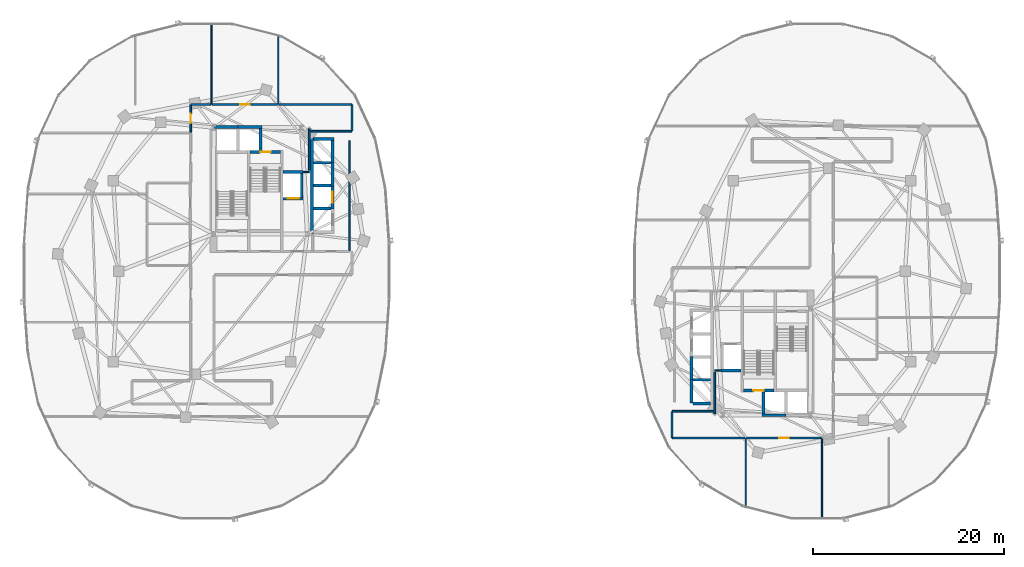
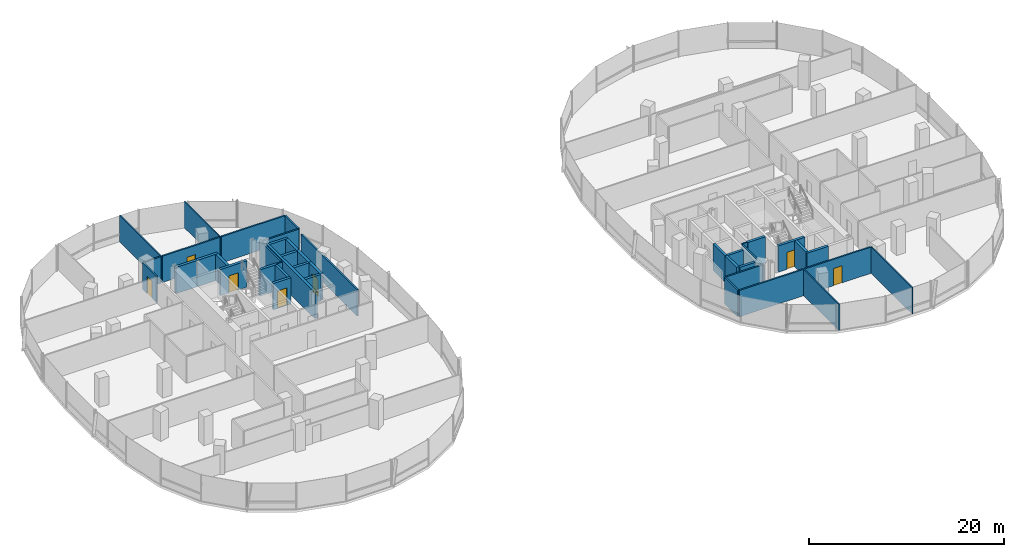
# One storey, part 12 of 21: 42 walls, 7 doors, 7 openings.
"""IFC4 building model written with IfcOpenShell, lengths in metres."""

from ifc_helpers import new_model, si_unit, direction, frame, frame_2d, origin, place, context, subcontext, project, spatial, rectangle, extrude, material, layer, layer_set, type_object, element, fill, save


model = new_model("IFC4")

# Units and contexts
model_context = context("Model", 3, precision=1e-05, world=origin(), true_north=direction((0.0, 1.0)))
body_context = subcontext(model_context, "Body", "Model", "MODEL_VIEW")
ifc_project = project(units=[si_unit("LENGTHUNIT", "METRE"), si_unit("AREAUNIT", "SQUARE_METRE"), si_unit("VOLUMEUNIT", "CUBIC_METRE"), si_unit("PLANEANGLEUNIT", "RADIAN"), si_unit("MASSUNIT", "GRAM", prefix="KILO"), si_unit("THERMODYNAMICTEMPERATUREUNIT", "KELVIN"), si_unit("POWERUNIT", "WATT")], contexts=[model_context])

# Site, building, storey
site_placement = place(None, origin())
site = spatial("IfcSite", under=ifc_project, at=site_placement, CompositionType="ELEMENT")
building_placement = place(site_placement, origin())
building = spatial("IfcBuilding", under=site, at=building_placement, Name="Cundina Bronze Exchange", CompositionType="ELEMENT")
storey_placement = place(building_placement, frame((0.0, 0.0, 121.39990234375)))
storey = spatial("IfcBuildingStorey", under=building, at=storey_placement, Name="L31", CompositionType="ELEMENT", Elevation=121.39990234375)

# Walls
ifc_material_1 = material(Name="Gypsum Fireboard Partition EI120")
ifc_layer_1 = layer(ifc_material_1, 0.179931640625, Name="Gypsum Fireboard Partition EI120")
ifc_layer_set_1 = layer_set([ifc_layer_1], Name="Gypsum Fireboard Partition EI120")
wall_type_1 = type_object("IfcWallType", Name="WL-COR-180", PredefinedType="PARTITIONING", material=ifc_layer_set_1)
wall_1_placement = place(storey_placement, frame((-17.02001953125, 2.169921875, 0.0), z_axis=(0.0, 0.0, 1.0), x_axis=(0.0, 1.0, 0.0)))
element("IfcWall", 1, at=wall_1_placement, inside=storey, type_object=wall_type_1, Name="L31 Interior Partition 001", PredefinedType="PARTITIONING", context=body_context, shape_type="SweptSolid", body=[
    extrude(rectangle(XDim=11.510009765625, YDim=0.179931640625, at=frame_2d((5.7548828125, 0.0))), origin(), (0.0, 0.0, 1.0), 3.300048828125),
])
wall_2_placement = place(storey_placement, frame((-21.25, 10.570068359375, 0.0), z_axis=(0.0, 0.0, 1.0), x_axis=(0.0, 1.0, 0.0)))
element("IfcWall", 2, at=wall_2_placement, inside=storey, type_object=wall_type_1, Name="L31 Interior Partition 004", PredefinedType="PARTITIONING", context=body_context, shape_type="SweptSolid", body=[
    extrude(rectangle(XDim=4.35986328125, YDim=0.179931640625, at=frame_2d((2.179931640625, 0.0))), origin(), (0.0, 0.0, 1.0), 3.300048828125),
])
wall_3_placement = place(storey_placement, frame((-16.821533203125, 17.469970703125, 0.0), z_axis=(0.0, 0.0, 1.0), x_axis=(-1.0, 0.0, 0.0)))
element("IfcWall", 3, at=wall_3_placement, inside=storey, type_object=wall_type_1, Name="L31 Interior Partition 030", PredefinedType="PARTITIONING", context=body_context, shape_type="SweptSolid", body=[
    extrude(rectangle(XDim=7.58837890625, YDim=0.179931640625, at=frame_2d((3.794189453125, 0.0))), origin(), (0.0, 0.0, 1.0), 3.300048828125),
])
wall_4_placement = place(storey_placement, frame((-21.178466796875, 14.679931640625, 0.0), z_axis=(0.0, 0.0, 1.0), x_axis=(1.0, 0.0, 0.0)))
element("IfcWall", 4, at=wall_4_placement, inside=storey, type_object=wall_type_1, Name="L31 Interior Partition 032", PredefinedType="PARTITIONING", context=body_context, shape_type="SweptSolid", body=[
    extrude(rectangle(XDim=4.35693359375, YDim=0.179931640625, at=frame_2d((2.178466796875, 0.0))), origin(), (0.0, 0.0, 1.0), 3.300048828125),
])
wall_5_placement = place(storey_placement, frame((-16.780029296875, 14.721435546875, 0.0), z_axis=(0.0, 0.0, 1.0), x_axis=(0.0, 1.0, 0.0)))
element("IfcWall", 5, at=wall_5_placement, inside=storey, type_object=wall_type_1, Name="L31 Interior Partition 033", PredefinedType="PARTITIONING", context=body_context, shape_type="SweptSolid", body=[
    extrude(rectangle(XDim=2.70703125, YDim=0.179931640625, at=frame_2d((1.353515625, 0.0))), origin(), (0.0, 0.0, 1.0), 3.300048828125),
])

# Wall, opening, door
wall_6_placement = place(storey_placement, frame((-33.669921875, 17.428466796875, 0.0), z_axis=(0.0, 0.0, 1.0), x_axis=(0.0, -1.0, 0.0)))
wall_6 = element("IfcWall", 6, at=wall_6_placement, inside=storey, type_object=wall_type_1, Name="L31 Interior Partition 036", PredefinedType="PARTITIONING", context=body_context, shape_type="SweptSolid", body=[
    extrude(rectangle(XDim=2.83837890625, YDim=0.179931640625, at=frame_2d((1.419189453125, 0.0))), origin(), (0.0, 0.0, 1.0), 3.300048828125),
])
opening_1_placement = place(wall_6_placement, frame((0.919189453125, 0.0, 0.0)))
opening_1 = element("IfcOpeningElement", 7, at=opening_1_placement, cuts=wall_6, Name="Opening DO-01", PredefinedType="OPENING", context=body_context, shape_type="SweptSolid", body=[
    extrude(rectangle(XDim=1.0, YDim=2.14990234375, at=frame_2d((0.5, 1.074951171875))), frame((0.0, 0.099853515625, 0.0), z_axis=(0.0, -1.0, 0.0), x_axis=(1.0, 0.0, 0.0)), (0.0, 0.0, 1.0), 0.199951171875),
])
ifc_material_2 = material(Name="Solid Andean Oak Timber Grade A", Category="wood")
door_type_1 = type_object("IfcDoorType", Name="DR-OFF-1000", OperationType="NOTDEFINED", PredefinedType="DOOR", material=ifc_material_2)
door_1_placement = place(opening_1_placement, origin())
door_1 = element("IfcDoor", 8, at=door_1_placement, inside=storey, type_object=door_type_1, Name="L31 Interior Door 036", OperationType="SINGLE_SWING_RIGHT", OverallHeight=2.14990234375, OverallWidth=1.0, PredefinedType="DOOR", context=body_context, shape_type="SweptSolid", body=[
    extrude(rectangle(XDim=1.0, YDim=2.14990234375, at=frame_2d((0.5, 1.074951171875))), frame((0.0, 0.02490234375, 0.0), z_axis=(0.0, -1.0, 0.0), x_axis=(1.0, 0.0, 0.0)), (0.0, 0.0, 1.0), 0.050048828125),
])
fill(opening_1, door_1)

# Wall
wall_7_placement = place(storey_placement, frame((-31.590087890625, 17.469970703125, 0.0), z_axis=(0.0, 0.0, 1.0), x_axis=(-1.0, 0.0, 0.0)))
element("IfcWall", 9, at=wall_7_placement, inside=storey, type_object=wall_type_1, Name="L31 Interior Partition 037", PredefinedType="PARTITIONING", context=body_context, shape_type="SweptSolid", body=[
    extrude(rectangle(XDim=2.038330078125, YDim=0.179931640625, at=frame_2d((1.01904296875, 0.0))), origin(), (0.0, 0.0, 1.0), 3.300048828125),
])

# Wall, opening, door
wall_8_placement = place(storey_placement, frame((-24.590087890625, 17.469970703125, 0.0), z_axis=(0.0, 0.0, 1.0), x_axis=(-1.0, 0.0, 0.0)))
wall_8 = element("IfcWall", 10, at=wall_8_placement, inside=storey, type_object=wall_type_1, Name="L31 Interior Partition 038", PredefinedType="PARTITIONING", context=body_context, shape_type="SweptSolid", body=[
    extrude(rectangle(XDim=6.81982421875, YDim=0.179931640625, at=frame_2d((3.409912109375, 0.0))), origin(), (0.0, 0.0, 1.0), 3.300048828125),
])
opening_2_placement = place(wall_8_placement, frame((2.909912109375, 0.0, 0.0)))
opening_2 = element("IfcOpeningElement", 11, at=opening_2_placement, cuts=wall_8, Name="Opening DO-01", PredefinedType="OPENING", context=body_context, shape_type="SweptSolid", body=[
    extrude(rectangle(XDim=1.0, YDim=2.14990234375, at=frame_2d((0.5, 1.074951171875))), frame((0.0, 0.099853515625, 0.0), z_axis=(0.0, -1.0, 0.0), x_axis=(1.0, 0.0, 0.0)), (0.0, 0.0, 1.0), 0.199951171875),
])
door_2_placement = place(opening_2_placement, origin())
door_2 = element("IfcDoor", 12, at=door_2_placement, inside=storey, type_object=door_type_1, Name="L31 Interior Door 038", OperationType="SINGLE_SWING_RIGHT", OverallHeight=2.14990234375, OverallWidth=1.0, PredefinedType="DOOR", context=body_context, shape_type="SweptSolid", body=[
    extrude(rectangle(XDim=1.0, YDim=2.14990234375, at=frame_2d((0.5, 1.074951171875))), frame((0.0, 0.02490234375, 0.0), z_axis=(0.0, -1.0, 0.0), x_axis=(1.0, 0.0, 0.0)), (0.0, 0.0, 1.0), 0.050048828125),
])
fill(opening_2, door_2)

# Wall
wall_9_placement = place(storey_placement, frame((21.25, -14.929931640625, 0.0), z_axis=(0.0, 0.0, 1.0), x_axis=(0.0, 1.0, 0.0)))
element("IfcWall", 13, at=wall_9_placement, inside=storey, type_object=wall_type_1, Name="L31 Interior Partition 043", PredefinedType="PARTITIONING", context=body_context, shape_type="SweptSolid", body=[
    extrude(rectangle(XDim=4.35986328125, YDim=0.179931640625, at=frame_2d((2.179931640625, 0.0))), origin(), (0.0, 0.0, 1.0), 3.300048828125),
])

# Wall, opening, door
wall_10_placement = place(storey_placement, frame((24.590087890625, -17.469970703125, 0.0), z_axis=(0.0, 0.0, 1.0), x_axis=(1.0, 0.0, 0.0)))
wall_10 = element("IfcWall", 14, at=wall_10_placement, inside=storey, type_object=wall_type_1, Name="L31 Interior Partition 060", PredefinedType="PARTITIONING", context=body_context, shape_type="SweptSolid", body=[
    extrude(rectangle(XDim=7.81982421875, YDim=0.179931640625, at=frame_2d((3.909912109375, 0.0))), origin(), (0.0, 0.0, 1.0), 3.300048828125),
])
opening_3_placement = place(wall_10_placement, frame((3.409912109375, 0.0, 0.0)))
opening_3 = element("IfcOpeningElement", 15, at=opening_3_placement, cuts=wall_10, Name="Opening DO-01", PredefinedType="OPENING", context=body_context, shape_type="SweptSolid", body=[
    extrude(rectangle(XDim=1.0, YDim=2.14990234375, at=frame_2d((0.5, 1.074951171875))), frame((0.0, 0.099853515625, 0.0), z_axis=(0.0, -1.0, 0.0), x_axis=(1.0, 0.0, 0.0)), (0.0, 0.0, 1.0), 0.199951171875),
])
door_3_placement = place(opening_3_placement, origin())
door_3 = element("IfcDoor", 16, at=door_3_placement, inside=storey, type_object=door_type_1, Name="L31 Interior Door 060", OperationType="SINGLE_SWING_LEFT", OverallHeight=2.14990234375, OverallWidth=1.0, PredefinedType="DOOR", context=body_context, shape_type="SweptSolid", body=[
    extrude(rectangle(XDim=1.0, YDim=2.14990234375, at=frame_2d((0.5, 1.074951171875))), frame((0.0, 0.02490234375, 0.0), z_axis=(0.0, -1.0, 0.0), x_axis=(1.0, 0.0, 0.0)), (0.0, 0.0, 1.0), 0.050048828125),
])
fill(opening_3, door_3)

# Walls
wall_11_placement = place(storey_placement, frame((16.821533203125, -17.469970703125, 0.0), z_axis=(0.0, 0.0, 1.0), x_axis=(1.0, 0.0, 0.0)))
element("IfcWall", 17, at=wall_11_placement, inside=storey, type_object=wall_type_1, Name="L31 Interior Partition 065", PredefinedType="PARTITIONING", context=body_context, shape_type="SweptSolid", body=[
    extrude(rectangle(XDim=7.58837890625, YDim=0.179931640625, at=frame_2d((3.794189453125, 0.0))), origin(), (0.0, 0.0, 1.0), 3.300048828125),
])
wall_12_placement = place(storey_placement, frame((21.178466796875, -14.679931640625, 0.0), z_axis=(0.0, 0.0, 1.0), x_axis=(-1.0, 0.0, 0.0)))
element("IfcWall", 18, at=wall_12_placement, inside=storey, type_object=wall_type_1, Name="L31 Interior Partition 067", PredefinedType="PARTITIONING", context=body_context, shape_type="SweptSolid", body=[
    extrude(rectangle(XDim=4.35693359375, YDim=0.179931640625, at=frame_2d((2.178466796875, 0.0))), origin(), (0.0, 0.0, 1.0), 3.300048828125),
])
wall_13_placement = place(storey_placement, frame((16.780029296875, -14.721435546875, 0.0), z_axis=(0.0, 0.0, 1.0), x_axis=(0.0, -1.0, 0.0)))
element("IfcWall", 19, at=wall_13_placement, inside=storey, type_object=wall_type_1, Name="L31 Interior Partition 068", PredefinedType="PARTITIONING", context=body_context, shape_type="SweptSolid", body=[
    extrude(rectangle(XDim=2.70703125, YDim=0.179931640625, at=frame_2d((1.353515625, 0.0))), origin(), (0.0, 0.0, 1.0), 3.300048828125),
])
ifc_material_3 = material(Name="Gypsum Acoustic Partition EI60")
ifc_layer_2 = layer(ifc_material_3, 0.125, Name="Gypsum Acoustic Partition EI60")
ifc_layer_set_2 = layer_set([ifc_layer_2], Name="Gypsum Acoustic Partition EI60")
wall_type_2 = type_object("IfcWallType", Name="WL-OFF-125", PredefinedType="PARTITIONING", material=ifc_layer_set_2)
wall_14_placement = place(storey_placement, frame((-31.5, 17.5, 0.0), z_axis=(0.0, 0.0, 1.0), x_axis=(0.0, 1.0, 0.0)))
element("IfcWall", 20, at=wall_14_placement, inside=storey, type_object=wall_type_2, Name="L31 Interior Partition 019", PredefinedType="PARTITIONING", context=body_context, shape_type="SweptSolid", body=[
    extrude(rectangle(XDim=8.485107421875, YDim=0.125, at=frame_2d((4.24267578125, 0.0))), origin(), (0.0, 0.0, 1.0), 3.300048828125),
])
for number, where, z_axis, x_axis, name in (
    (21, (-24.5, 17.5, 0.0), (0.0, 0.0, 1.0), (0.0, 1.0, 0.0), "L31 Interior Partition 020"),
    (22, (24.5, -24.772216796875, 0.0), (0.0, 0.0, 1.0), (0.0, 1.0, 0.0), "L31 Interior Partition 057"),
):
    element("IfcWall", number, at=place(storey_placement, frame(where, z_axis=z_axis, x_axis=x_axis)), inside=storey, type_object=wall_type_2, Name=name, PredefinedType="PARTITIONING", context=body_context, shape_type="SweptSolid", body=[
        extrude(rectangle(XDim=7.272216796875, YDim=0.125, at=frame_2d((3.63623046875, 0.0))), origin(), (0.0, 0.0, 1.0), 3.300048828125),
    ])
wall_15_placement = place(storey_placement, frame((32.5, -25.985107421875, 0.0), z_axis=(0.0, 0.0, 1.0), x_axis=(0.0, 1.0, 0.0)))
element("IfcWall", 23, at=wall_15_placement, inside=storey, type_object=wall_type_2, Name="L31 Interior Partition 058", PredefinedType="PARTITIONING", context=body_context, shape_type="SweptSolid", body=[
    extrude(rectangle(XDim=8.485107421875, YDim=0.125, at=frame_2d((4.24267578125, 0.0))), origin(), (0.0, 0.0, 1.0), 3.300048828125),
])

# Wall, opening, door
ifc_material_4 = material(Name="Concrete C50/60", Category="concrete")
ifc_layer_3 = layer(ifc_material_4, 0.300048828125, Name="Concrete C50/60", Category="concrete")
ifc_layer_set_3 = layer_set([ifc_layer_3], Name="Concrete C50/60")
wall_type_3 = type_object("IfcWallType", Name="WL-SHFT-300", PredefinedType="SHEAR", material=ifc_layer_set_3)
wall_16_placement = place(storey_placement, frame((-27.43994140625, 12.5, 0.0), z_axis=(0.0, 0.0, 1.0), x_axis=(1.0, 0.0, 0.0)))
wall_16 = element("IfcWall", 24, at=wall_16_placement, inside=storey, type_object=wall_type_3, Name="L31 Stair W2 Landing Wall", PredefinedType="SHEAR", context=body_context, shape_type="SweptSolid", body=[
    extrude(rectangle(XDim=3.159912109375, YDim=0.300048828125, at=frame_2d((1.580078125, 0.0))), origin(), (0.0, 0.0, 1.0), 3.300048828125),
])
opening_4_placement = place(wall_16_placement, frame((1.030029296875, 0.0, 0.0)))
opening_4 = element("IfcOpeningElement", 25, at=opening_4_placement, cuts=wall_16, Name="Opening DS-01", PredefinedType="OPENING", context=body_context, shape_type="SweptSolid", body=[
    extrude(rectangle(XDim=1.10009765625, YDim=2.14990234375, at=frame_2d((0.550048828125, 1.074951171875))), frame((0.0, 0.159912109375, 0.0), z_axis=(0.0, -1.0, 0.0), x_axis=(1.0, 0.0, 0.0)), (0.0, 0.0, 1.0), 0.320068359375),
])
ifc_material_5 = material(Name="Steel ASTM A36 Painted", Category="steel")
door_type_2 = type_object("IfcDoorType", Name="DR-STR-1100", OperationType="NOTDEFINED", PredefinedType="DOOR", material=ifc_material_5)
door_4_placement = place(opening_4_placement, origin())
door_4 = element("IfcDoor", 26, at=door_4_placement, inside=storey, type_object=door_type_2, Name="L31 Smokeproof Stair W2 Door", OperationType="SINGLE_SWING_LEFT", OverallHeight=2.14990234375, OverallWidth=1.10009765625, PredefinedType="DOOR", context=body_context, shape_type="SweptSolid", body=[
    extrude(rectangle(XDim=1.10009765625, YDim=2.14990234375, at=frame_2d((0.550048828125, 1.074951171875))), frame((0.0, 0.02490234375, 0.0), z_axis=(0.0, -1.0, 0.0), x_axis=(1.0, 0.0, 0.0)), (0.0, 0.0, 1.0), 0.050048828125),
])
fill(opening_4, door_4)

wall_17_placement = place(storey_placement, frame((-23.97998046875, 7.60009765625, 0.0), z_axis=(0.0, 0.0, 1.0), x_axis=(1.0, 0.0, 0.0)))
wall_17 = element("IfcWall", 27, at=wall_17_placement, inside=storey, type_object=wall_type_3, Name="L31 FFL-W Hoistway Front Wall", PredefinedType="SHEAR", context=body_context, shape_type="SweptSolid", body=[
    extrude(rectangle(XDim=2.10009765625, YDim=0.300048828125, at=frame_2d((1.050048828125, 0.0))), origin(), (0.0, 0.0, 1.0), 3.300048828125),
])
opening_5_placement = place(wall_17_placement, frame((0.47509765625, 0.0, 0.0)))
opening_5 = element("IfcOpeningElement", 28, at=opening_5_placement, cuts=wall_17, Name="Opening LD-01", PredefinedType="OPENING", context=body_context, shape_type="SweptSolid", body=[
    extrude(rectangle(XDim=1.14990234375, YDim=2.199951171875, at=frame_2d((0.574951171875, 1.10009765625))), frame((0.0, 0.159912109375, 0.0), z_axis=(0.0, -1.0, 0.0), x_axis=(1.0, 0.0, 0.0)), (0.0, 0.0, 1.0), 0.320068359375),
])
door_type_3 = type_object("IfcDoorType", Name="DR-LND-1150", OperationType="NOTDEFINED", PredefinedType="TRAPDOOR", material=ifc_material_5)
door_5_placement = place(opening_5_placement, origin())
door_5 = element("IfcDoor", 29, at=door_5_placement, inside=storey, type_object=door_type_3, Name="L31 FFL-W Sliding Landing Door", OperationType="SLIDING_TO_LEFT", OverallHeight=2.199951171875, OverallWidth=1.14990234375, PredefinedType="TRAPDOOR", context=body_context, shape_type="SweptSolid", body=[
    extrude(rectangle(XDim=1.14990234375, YDim=2.199951171875, at=frame_2d((0.574951171875, 1.10009765625))), frame((0.0, 0.02490234375, 0.0), z_axis=(0.0, -1.0, 0.0), x_axis=(1.0, 0.0, 0.0)), (0.0, 0.0, 1.0), 0.050048828125),
])
fill(opening_5, door_5)

# Walls
wall_18_placement = place(storey_placement, frame((-23.97998046875, 10.39990234375, 0.0), z_axis=(0.0, 0.0, 1.0), x_axis=(1.0, 0.0, 0.0)))
element("IfcWall", 30, at=wall_18_placement, inside=storey, type_object=wall_type_3, Name="L31 FFL-W Hoistway Back Wall", PredefinedType="SHEAR", context=body_context, shape_type="SweptSolid", body=[
    extrude(rectangle(XDim=2.10009765625, YDim=0.300048828125, at=frame_2d((1.050048828125, 0.0))), origin(), (0.0, 0.0, 1.0), 3.300048828125),
])
for number, where, z_axis, x_axis, name in (
    (31, (-22.030029296875, 7.75, 0.0), (0.0, 0.0, 1.0), (0.0, 1.0, 0.0), "L31 FFL-W Hoistway Side Wall"),
    (32, (-31.199951171875, 15.10009765625, 0.0), (0.0, 0.0, 1.0), (1.0, 0.0, 0.0), "L31 PH-W1 Hoistway Front Wall"),
    (33, (-28.699951171875, 15.10009765625, 0.0), (0.0, 0.0, 1.0), (1.0, 0.0, 0.0), "L31 PH-W2 Hoistway Front Wall"),
):
    element("IfcWall", number, at=place(storey_placement, frame(where, z_axis=z_axis, x_axis=x_axis)), inside=storey, type_object=wall_type_3, Name=name, PredefinedType="SHEAR", context=body_context, shape_type="SweptSolid", body=[
        extrude(rectangle(XDim=2.5, YDim=0.300048828125, at=frame_2d((1.25, 0.0))), origin(), (0.0, 0.0, 1.0), 3.300048828125),
    ])
wall_19_placement = place(storey_placement, frame((-26.35009765625, 12.64990234375, 0.0), z_axis=(0.0, 0.0, 1.0), x_axis=(0.0, 1.0, 0.0)))
element("IfcWall", 34, at=wall_19_placement, inside=storey, type_object=wall_type_3, Name="L31 PH-W2 Hoistway Divider Wall", PredefinedType="SHEAR", context=body_context, shape_type="SweptSolid", body=[
    extrude(rectangle(XDim=2.300048828125, YDim=0.300048828125, at=frame_2d((1.14990234375, 0.0))), origin(), (0.0, 0.0, 1.0), 3.300048828125),
])
wall_20_placement = place(storey_placement, frame((-20.949951171875, 3.949951171875, 0.0), z_axis=(0.0, 0.0, 1.0), x_axis=(0.0, 1.0, 0.0)))
element("IfcWall", 35, at=wall_20_placement, inside=storey, type_object=wall_type_3, Name="L31 W Passenger Bank Hoistway Back Wall", PredefinedType="SHEAR", context=body_context, shape_type="SweptSolid", body=[
    extrude(rectangle(XDim=10.050048828125, YDim=0.300048828125, at=frame_2d((5.02490234375, 0.0))), origin(), (0.0, 0.0, 1.0), 3.300048828125),
])
wall_21_placement = place(storey_placement, frame((-20.800048828125, 13.85009765625, 0.0), z_axis=(0.0, 0.0, 1.0), x_axis=(1.0, 0.0, 0.0)))
element("IfcWall", 36, at=wall_21_placement, inside=storey, type_object=wall_type_3, Name="L31 W Passenger Bank North Cap Wall", PredefinedType="SHEAR", context=body_context, shape_type="SweptSolid", body=[
    extrude(rectangle(XDim=2.150146484375, YDim=0.300048828125, at=frame_2d((1.0751953125, 0.0))), origin(), (0.0, 0.0, 1.0), 3.300048828125),
])
for number, where, z_axis, x_axis, name in (
    (37, (-20.800048828125, 6.574951171875, 0.0), (0.0, 0.0, 1.0), (1.0, 0.0, 0.0), "L31 W Passenger Hoistway Divider 1"),
    (38, (-20.800048828125, 8.97509765625, 0.0), (0.0, 0.0, 1.0), (1.0, 0.0, 0.0), "L31 W Passenger Hoistway Divider 2"),
    (39, (-20.800048828125, 11.375, 0.0), (0.0, 0.0, 1.0), (1.0, 0.0, 0.0), "L31 W Passenger Hoistway Divider 3"),
):
    element("IfcWall", number, at=place(storey_placement, frame(where, z_axis=z_axis, x_axis=x_axis)), inside=storey, type_object=wall_type_3, Name=name, PredefinedType="SHEAR", context=body_context, shape_type="SweptSolid", body=[
        extrude(rectangle(XDim=1.85009765625, YDim=0.300048828125, at=frame_2d((0.925048828125, 0.0))), origin(), (0.0, 0.0, 1.0), 3.300048828125),
    ])

# Wall, opening, door
wall_22_placement = place(storey_placement, frame((-18.800048828125, 6.530029296875, 0.0), z_axis=(0.0, 0.0, 1.0), x_axis=(0.0, 1.0, 0.0)))
wall_22 = element("IfcWall", 40, at=wall_22_placement, inside=storey, type_object=wall_type_3, Name="L31 PL-W1 Hoistway Front Wall", PredefinedType="SHEAR", context=body_context, shape_type="SweptSolid", body=[
    extrude(rectangle(XDim=2.489990234375, YDim=0.300048828125, at=frame_2d((1.2451171875, 0.0))), origin(), (0.0, 0.0, 1.0), 3.300048828125),
])
opening_6_placement = place(wall_22_placement, frame((0.669921875, 0.0, 0.0)))
opening_6 = element("IfcOpeningElement", 41, at=opening_6_placement, cuts=wall_22, Name="Opening LD-01", PredefinedType="OPENING", context=body_context, shape_type="SweptSolid", body=[
    extrude(rectangle(XDim=1.14990234375, YDim=2.199951171875, at=frame_2d((0.574951171875, 1.10009765625))), frame((0.0, 0.159912109375, 0.0), z_axis=(0.0, -1.0, 0.0), x_axis=(1.0, 0.0, 0.0)), (0.0, 0.0, 1.0), 0.320068359375),
])
door_6_placement = place(opening_6_placement, origin())
door_6 = element("IfcDoor", 42, at=door_6_placement, inside=storey, type_object=door_type_3, Name="L31 PL-W1 Sliding Landing Door", OperationType="SLIDING_TO_LEFT", OverallHeight=2.199951171875, OverallWidth=1.14990234375, PredefinedType="TRAPDOOR", context=body_context, shape_type="SweptSolid", body=[
    extrude(rectangle(XDim=1.14990234375, YDim=2.199951171875, at=frame_2d((0.574951171875, 1.10009765625))), frame((0.0, 0.02490234375, 0.0), z_axis=(0.0, -1.0, 0.0), x_axis=(1.0, 0.0, 0.0)), (0.0, 0.0, 1.0), 0.050048828125),
])
fill(opening_6, door_6)

# Walls
for number, where, z_axis, x_axis, name in (
    (43, (-18.800048828125, 8.929931640625, 0.0), (0.0, 0.0, 1.0), (0.0, 1.0, 0.0), "L31 PM-W2 Hoistway Front Wall"),
    (44, (-18.800048828125, 11.330078125, 0.0), (0.0, 0.0, 1.0), (0.0, 1.0, 0.0), "L31 PM-W1 Hoistway Front Wall"),
):
    element("IfcWall", number, at=place(storey_placement, frame(where, z_axis=z_axis, x_axis=x_axis)), inside=storey, type_object=wall_type_3, Name=name, PredefinedType="SHEAR", context=body_context, shape_type="SweptSolid", body=[
        extrude(rectangle(XDim=2.489990234375, YDim=0.300048828125, at=frame_2d((1.2451171875, 0.0))), origin(), (0.0, 0.0, 1.0), 3.300048828125),
    ])

# Wall, opening, door
wall_23_placement = place(storey_placement, frame((24.280029296875, -12.5, 0.0), z_axis=(0.0, 0.0, 1.0), x_axis=(1.0, 0.0, 0.0)))
wall_23 = element("IfcWall", 45, at=wall_23_placement, inside=storey, type_object=wall_type_3, Name="L31 Stair E2 Landing Wall", PredefinedType="SHEAR", context=body_context, shape_type="SweptSolid", body=[
    extrude(rectangle(XDim=3.159912109375, YDim=0.300048828125, at=frame_2d((1.580078125, 0.0))), origin(), (0.0, 0.0, 1.0), 3.300048828125),
])
opening_7_placement = place(wall_23_placement, frame((1.030029296875, 0.0, 0.0)))
opening_7 = element("IfcOpeningElement", 46, at=opening_7_placement, cuts=wall_23, Name="Opening DS-01", PredefinedType="OPENING", context=body_context, shape_type="SweptSolid", body=[
    extrude(rectangle(XDim=1.10009765625, YDim=2.14990234375, at=frame_2d((0.550048828125, 1.074951171875))), frame((0.0, 0.159912109375, 0.0), z_axis=(0.0, -1.0, 0.0), x_axis=(1.0, 0.0, 0.0)), (0.0, 0.0, 1.0), 0.320068359375),
])
door_7_placement = place(opening_7_placement, origin())
door_7 = element("IfcDoor", 47, at=door_7_placement, inside=storey, type_object=door_type_2, Name="L31 Smokeproof Stair E2 Door", OperationType="SINGLE_SWING_RIGHT", OverallHeight=2.14990234375, OverallWidth=1.10009765625, PredefinedType="DOOR", context=body_context, shape_type="SweptSolid", body=[
    extrude(rectangle(XDim=1.10009765625, YDim=2.14990234375, at=frame_2d((0.550048828125, 1.074951171875))), frame((0.0, 0.02490234375, 0.0), z_axis=(0.0, -1.0, 0.0), x_axis=(1.0, 0.0, 0.0)), (0.0, 0.0, 1.0), 0.050048828125),
])
fill(opening_7, door_7)

# Walls
wall_24_placement = place(storey_placement, frame((21.8798828125, -10.39990234375, 0.0), z_axis=(0.0, 0.0, 1.0), x_axis=(1.0, 0.0, 0.0)))
element("IfcWall", 48, at=wall_24_placement, inside=storey, type_object=wall_type_3, Name="L31 FFL-E Hoistway Back Wall", PredefinedType="SHEAR", context=body_context, shape_type="SweptSolid", body=[
    extrude(rectangle(XDim=2.10009765625, YDim=0.300048828125, at=frame_2d((1.050048828125, 0.0))), origin(), (0.0, 0.0, 1.0), 3.300048828125),
])
wall_25_placement = place(storey_placement, frame((26.199951171875, -15.10009765625, 0.0), z_axis=(0.0, 0.0, 1.0), x_axis=(1.0, 0.0, 0.0)))
element("IfcWall", 49, at=wall_25_placement, inside=storey, type_object=wall_type_3, Name="L31 PH-E2 Hoistway Front Wall", PredefinedType="SHEAR", context=body_context, shape_type="SweptSolid", body=[
    extrude(rectangle(XDim=2.5, YDim=0.300048828125, at=frame_2d((1.25, 0.0))), origin(), (0.0, 0.0, 1.0), 3.300048828125),
])
wall_26_placement = place(storey_placement, frame((26.35009765625, -14.949951171875, 0.0), z_axis=(0.0, 0.0, 1.0), x_axis=(0.0, 1.0, 0.0)))
element("IfcWall", 50, at=wall_26_placement, inside=storey, type_object=wall_type_3, Name="L31 PH-E2 Hoistway Divider Wall", PredefinedType="SHEAR", context=body_context, shape_type="SweptSolid", body=[
    extrude(rectangle(XDim=2.300048828125, YDim=0.300048828125, at=frame_2d((1.14990234375, 0.0))), origin(), (0.0, 0.0, 1.0), 3.300048828125),
])
for number, where, z_axis, x_axis, name in (
    (51, (18.949951171875, -13.85009765625, 0.0), (0.0, 0.0, 1.0), (1.0, 0.0, 0.0), "L31 E Passenger Bank South Cap Wall"),
    (52, (18.949951171875, -11.375, 0.0), (0.0, 0.0, 1.0), (1.0, 0.0, 0.0), "L31 E Passenger Hoistway Divider 1"),
):
    element("IfcWall", number, at=place(storey_placement, frame(where, z_axis=z_axis, x_axis=x_axis)), inside=storey, type_object=wall_type_3, Name=name, PredefinedType="SHEAR", context=body_context, shape_type="SweptSolid", body=[
        extrude(rectangle(XDim=1.85009765625, YDim=0.300048828125, at=frame_2d((0.925048828125, 0.0))), origin(), (0.0, 0.0, 1.0), 3.300048828125),
    ])
for number, where, z_axis, x_axis, name in (
    (53, (18.800048828125, -13.820068359375, 0.0), (0.0, 0.0, 1.0), (0.0, 1.0, 0.0), "L31 PM-E1 Hoistway Front Wall"),
    (54, (18.800048828125, -11.419921875, 0.0), (0.0, 0.0, 1.0), (0.0, 1.0, 0.0), "L31 PM-E2 Hoistway Front Wall"),
):
    element("IfcWall", number, at=place(storey_placement, frame(where, z_axis=z_axis, x_axis=x_axis)), inside=storey, type_object=wall_type_3, Name=name, PredefinedType="SHEAR", context=body_context, shape_type="SweptSolid", body=[
        extrude(rectangle(XDim=2.489990234375, YDim=0.300048828125, at=frame_2d((1.2451171875, 0.0))), origin(), (0.0, 0.0, 1.0), 3.300048828125),
    ])
ifc_material_6 = material(Name="Moisture-Resistant Masonry Block Grade M15", Category="masonry")
ifc_layer_4 = layer(ifc_material_6, 0.139892578125, Name="Moisture-Resistant Masonry Block Grade M15", Category="masonry")
ifc_layer_set_4 = layer_set([ifc_layer_4], Name="Moisture-Resistant Masonry Block Grade M15")
wall_type_4 = type_object("IfcWallType", Name="WL-WET-140", PredefinedType="PARTITIONING", material=ifc_layer_set_4)
for number, where, z_axis, x_axis, name in (
    (55, (-21.860107421875, 10.39990234375, 0.0), (0.0, 0.0, 1.0), (1.0, 0.0, 0.0), "L31 Interior Partition 003"),
    (56, (21.27001953125, -10.39990234375, 0.0), (0.0, 0.0, 1.0), (1.0, 0.0, 0.0), "L31 Interior Partition 042"),
):
    element("IfcWall", number, at=place(storey_placement, frame(where, z_axis=z_axis, x_axis=x_axis)), inside=storey, type_object=wall_type_4, Name=name, PredefinedType="PARTITIONING", context=body_context, shape_type="SweptSolid", body=[
        extrude(rectangle(XDim=0.590087890625, YDim=0.139892578125, at=frame_2d((0.294921875, 0.0))), origin(), (0.0, 0.0, 1.0), 3.300048828125),
    ])

save(model, "model.ifc")
